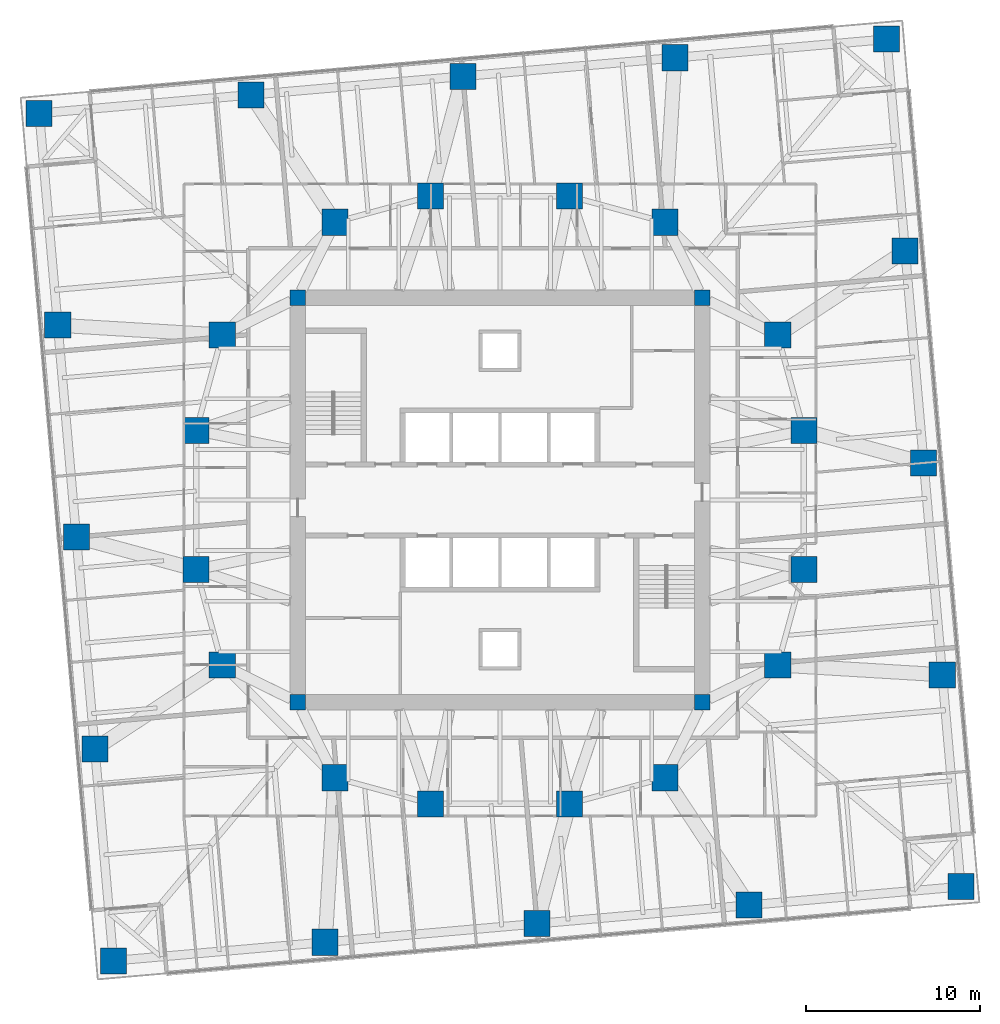
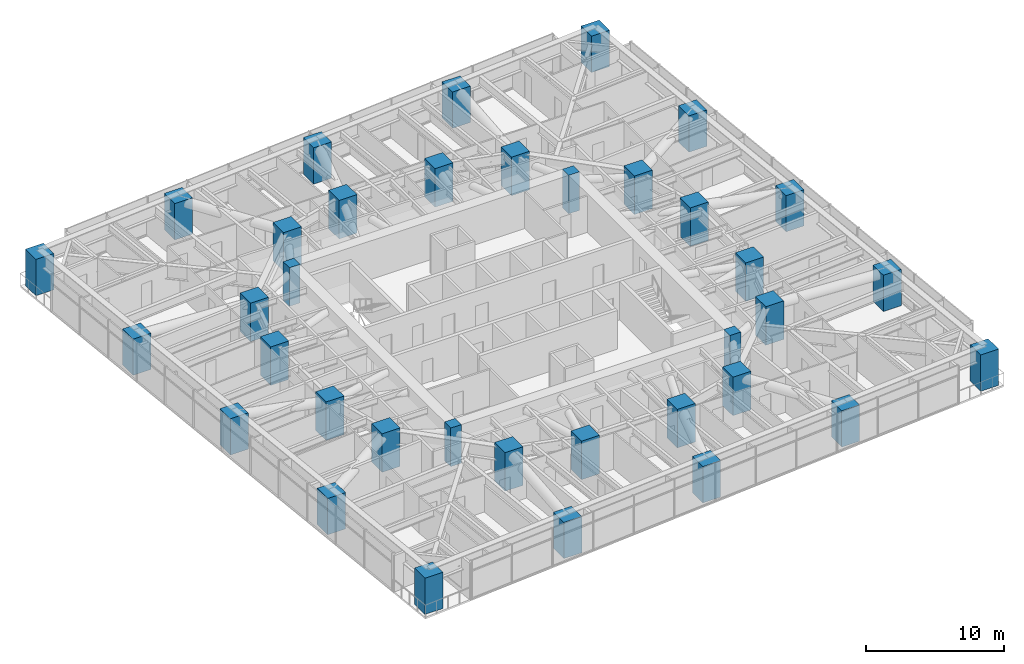
# One storey, part 1 of 18: 36 columns.
"""IFC4 building model written with IfcOpenShell, lengths in metres."""

from ifc_helpers import new_model, si_unit, direction, frame, origin, origin_2d, place, context, subcontext, project, spatial, rectangle, extrude, material, material_profile, profile_set, type_object, element, save


model = new_model("IFC4")

# Units and contexts
model_context = context("Model", 3, precision=1e-05, world=origin(), true_north=direction((0.0, 1.0)))
body_context = subcontext(model_context, "Body", "Model", "MODEL_VIEW")
ifc_project = project(units=[si_unit("LENGTHUNIT", "METRE"), si_unit("AREAUNIT", "SQUARE_METRE"), si_unit("VOLUMEUNIT", "CUBIC_METRE"), si_unit("PLANEANGLEUNIT", "RADIAN"), si_unit("MASSUNIT", "GRAM", prefix="KILO")], contexts=[model_context])

# Site, building, storey
site_placement = place(None, origin())
site = spatial("IfcSite", under=ifc_project, at=site_placement, CompositionType="ELEMENT")
building_placement = place(site_placement, origin())
building = spatial("IfcBuilding", under=site, at=building_placement, Name="Torsade Residences", CompositionType="ELEMENT")
storey_placement = place(building_placement, frame((0.0, 0.0, 71.0)))
storey = spatial("IfcBuildingStorey", under=building, at=storey_placement, Name="L19", CompositionType="ELEMENT", Elevation=71.0)

# Columns
ifc_material_1 = material(Name="Concrete 80 MPa", Category="concrete")
ifc_material_profile_1 = material_profile(ifc_material_1, rectangle(XDim=0.89990234375, YDim=0.89990234375, at=origin_2d()), Name="RC 900x900")
ifc_profile_set_1 = profile_set([ifc_material_profile_1], Name="Concrete 80 MPa")
column_type_1 = type_object("IfcColumnType", Name="CORE CORNER COLUMN RC 900x900", PredefinedType="COLUMN", material=ifc_profile_set_1)
for number, where, z_axis, x_axis, name in (
    (1, (28.35009765625, 18.35009765625, 0.0), (0.0, 0.0, 1.0), (1.0, 0.0, 0.0), "Core corner column CC1 L19"),
    (2, (51.64990234375, 18.35009765625, 0.0), (0.0, 0.0, 1.0), (1.0, 0.0, 0.0), "Core corner column CC2 L19"),
    (3, (51.64990234375, 41.64990234375, 0.0), (0.0, 0.0, 1.0), (1.0, 0.0, 0.0), "Core corner column CC3 L19"),
    (4, (28.35009765625, 41.64990234375, 0.0), (0.0, 0.0, 1.0), (1.0, 0.0, 0.0), "Core corner column CC4 L19"),
):
    element("IfcColumn", number, at=place(storey_placement, frame(where, z_axis=z_axis, x_axis=x_axis)), inside=storey, type_object=column_type_1, Name=name, PredefinedType="COLUMN", context=body_context, shape_type="SweptSolid", body=[
        extrude(rectangle(XDim=0.89990234375, YDim=0.89990234375, at=origin_2d()), origin(), (0.0, 0.0, 1.0), 3.39990234375),
    ])
ifc_material_2 = material(Name="Concrete 80 MPa", Category="concrete")
ifc_material_profile_2 = material_profile(ifc_material_2, rectangle(XDim=1.5, YDim=1.5, at=origin_2d()), Name="RC 1500x1500")
ifc_profile_set_2 = profile_set([ifc_material_profile_2], Name="Concrete 80 MPa")
column_type_2 = type_object("IfcColumnType", Name="INNER RING COLUMN RC 1500x1500", PredefinedType="COLUMN", material=ifc_profile_set_2)
for number, where, z_axis, x_axis, name in (
    (5, (57.5, 26.0, 0.0), (0.0, 0.0, 1.0), (1.0, 0.0, 0.0), "Inner ring column IR01 L19"),
    (6, (57.5, 34.0, 0.0), (0.0, 0.0, 1.0), (1.0, 0.0, 0.0), "Inner ring column IR02 L19"),
    (7, (56.0, 39.5, 0.0), (0.0, 0.0, 1.0), (1.0, 0.0, 0.0), "Inner ring column IR03 L19"),
    (8, (49.5, 46.0, 0.0), (0.0, 0.0, 1.0), (1.0, 0.0, 0.0), "Inner ring column IR04 L19"),
    (9, (44.0, 47.5, 0.0), (0.0, 0.0, 1.0), (1.0, 0.0, 0.0), "Inner ring column IR05 L19"),
    (10, (36.0, 47.5, 0.0), (0.0, 0.0, 1.0), (1.0, 0.0, 0.0), "Inner ring column IR06 L19"),
    (11, (30.5, 46.0, 0.0), (0.0, 0.0, 1.0), (1.0, 0.0, 0.0), "Inner ring column IR07 L19"),
    (12, (24.0, 39.5, 0.0), (0.0, 0.0, 1.0), (1.0, 0.0, 0.0), "Inner ring column IR08 L19"),
    (13, (22.5, 34.0, 0.0), (0.0, 0.0, 1.0), (1.0, 0.0, 0.0), "Inner ring column IR09 L19"),
    (14, (22.5, 26.0, 0.0), (0.0, 0.0, 1.0), (1.0, 0.0, 0.0), "Inner ring column IR10 L19"),
    (15, (24.0, 20.5, 0.0), (0.0, 0.0, 1.0), (1.0, 0.0, 0.0), "Inner ring column IR11 L19"),
    (16, (30.5, 14.0, 0.0), (0.0, 0.0, 1.0), (1.0, 0.0, 0.0), "Inner ring column IR12 L19"),
    (17, (36.0, 12.5, 0.0), (0.0, 0.0, 1.0), (1.0, 0.0, 0.0), "Inner ring column IR13 L19"),
    (18, (44.0, 12.5, 0.0), (0.0, 0.0, 1.0), (1.0, 0.0, 0.0), "Inner ring column IR14 L19"),
    (19, (49.5, 14.0, 0.0), (0.0, 0.0, 1.0), (1.0, 0.0, 0.0), "Inner ring column IR15 L19"),
    (20, (56.0, 20.5, 0.0), (0.0, 0.0, 1.0), (1.0, 0.0, 0.0), "Inner ring column IR16 L19"),
):
    element("IfcColumn", number, at=place(storey_placement, frame(where, z_axis=z_axis, x_axis=x_axis)), inside=storey, type_object=column_type_2, Name=name, PredefinedType="COLUMN", context=body_context, shape_type="SweptSolid", body=[
        extrude(rectangle(XDim=1.5, YDim=1.5, at=origin_2d()), origin(), (0.0, 0.0, 1.0), 3.39990234375),
    ])
ifc_material_3 = material(Name="Concrete 80 MPa", Category="concrete")
ifc_material_profile_3 = material_profile(ifc_material_3, rectangle(XDim=1.5, YDim=1.5, at=origin_2d()), Name="RC 1500x1500")
ifc_profile_set_3 = profile_set([ifc_material_profile_3], Name="Concrete 80 MPa")
column_type_3 = type_object("IfcColumnType", Name="TOWER COLUMN RC 1500x1500", PredefinedType="COLUMN", material=ifc_profile_set_3)
for number, where, z_axis, x_axis, name in (
    (21, (17.728515625, 3.4580078125, 0.0), (0.0, 0.0, 1.0), (1.0, 0.0, 0.0), "Column TC2-01 L19"),
    (22, (29.931884765625, 4.525634765625, 0.0), (0.0, 0.0, 1.0), (1.0, 0.0, 0.0), "Column TC2-02 L19"),
    (23, (42.13525390625, 5.59326171875, 0.0), (0.0, 0.0, 1.0), (1.0, 0.0, 0.0), "Column TC2-03 L19"),
    (24, (54.338623046875, 6.660888671875, 0.0), (0.0, 0.0, 1.0), (1.0, 0.0, 0.0), "Column TC2-04 L19"),
    (25, (66.5419921875, 7.728515625, 0.0), (0.0, 0.0, 1.0), (1.0, 0.0, 0.0), "Column TC2-05 L19"),
    (26, (65.474365234375, 19.931884765625, 0.0), (0.0, 0.0, 1.0), (1.0, 0.0, 0.0), "Column TC2-06 L19"),
    (27, (64.40673828125, 32.13525390625, 0.0), (0.0, 0.0, 1.0), (1.0, 0.0, 0.0), "Column TC2-07 L19"),
    (28, (63.339111328125, 44.338623046875, 0.0), (0.0, 0.0, 1.0), (1.0, 0.0, 0.0), "Column TC2-08 L19"),
    (29, (62.271484375, 56.5419921875, 0.0), (0.0, 0.0, 1.0), (1.0, 0.0, 0.0), "Column TC2-09 L19"),
    (30, (50.068115234375, 55.474365234375, 0.0), (0.0, 0.0, 1.0), (1.0, 0.0, 0.0), "Column TC2-10 L19"),
    (31, (37.86474609375, 54.40673828125, 0.0), (0.0, 0.0, 1.0), (1.0, 0.0, 0.0), "Column TC2-11 L19"),
    (32, (25.661376953125, 53.339111328125, 0.0), (0.0, 0.0, 1.0), (1.0, 0.0, 0.0), "Column TC2-12 L19"),
    (33, (13.4580078125, 52.271484375, 0.0), (0.0, 0.0, 1.0), (1.0, 0.0, 0.0), "Column TC2-13 L19"),
    (34, (14.525634765625, 40.068115234375, 0.0), (0.0, 0.0, 1.0), (1.0, 0.0, 0.0), "Column TC2-14 L19"),
    (35, (15.59326171875, 27.86474609375, 0.0), (0.0, 0.0, 1.0), (1.0, 0.0, 0.0), "Column TC2-15 L19"),
    (36, (16.660888671875, 15.661376953125, 0.0), (0.0, 0.0, 1.0), (1.0, 0.0, 0.0), "Column TC2-16 L19"),
):
    element("IfcColumn", number, at=place(storey_placement, frame(where, z_axis=z_axis, x_axis=x_axis)), inside=storey, type_object=column_type_3, Name=name, PredefinedType="COLUMN", context=body_context, shape_type="SweptSolid", body=[
        extrude(rectangle(XDim=1.5, YDim=1.5, at=origin_2d()), origin(), (0.0, 0.0, 1.0), 3.199951171875),
    ])

save(model, "model.ifc")
